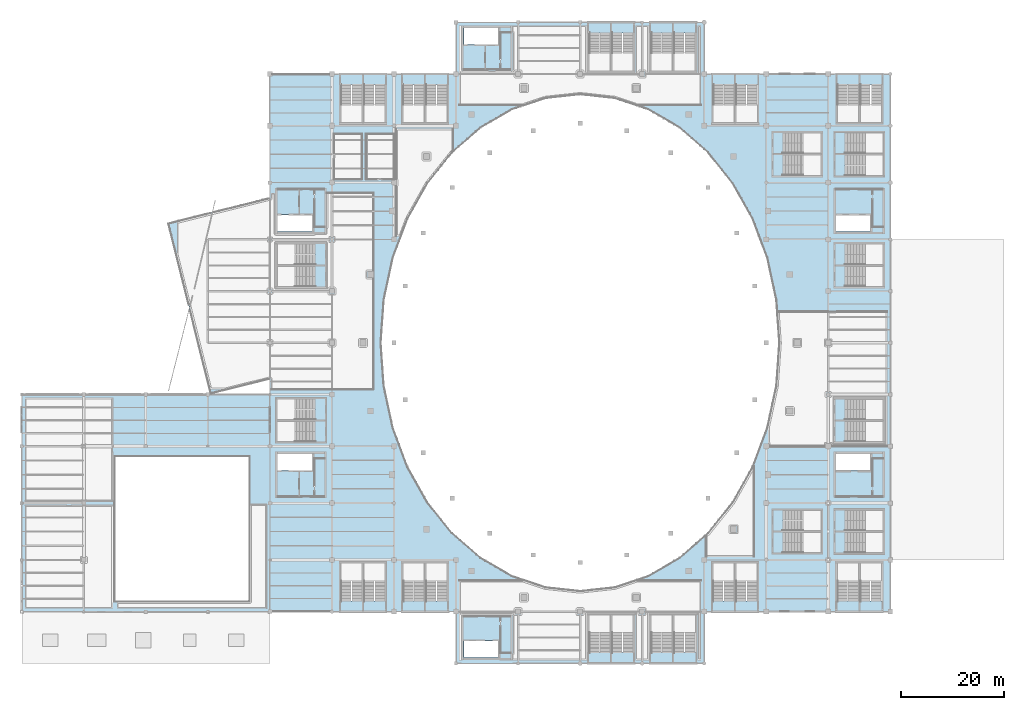
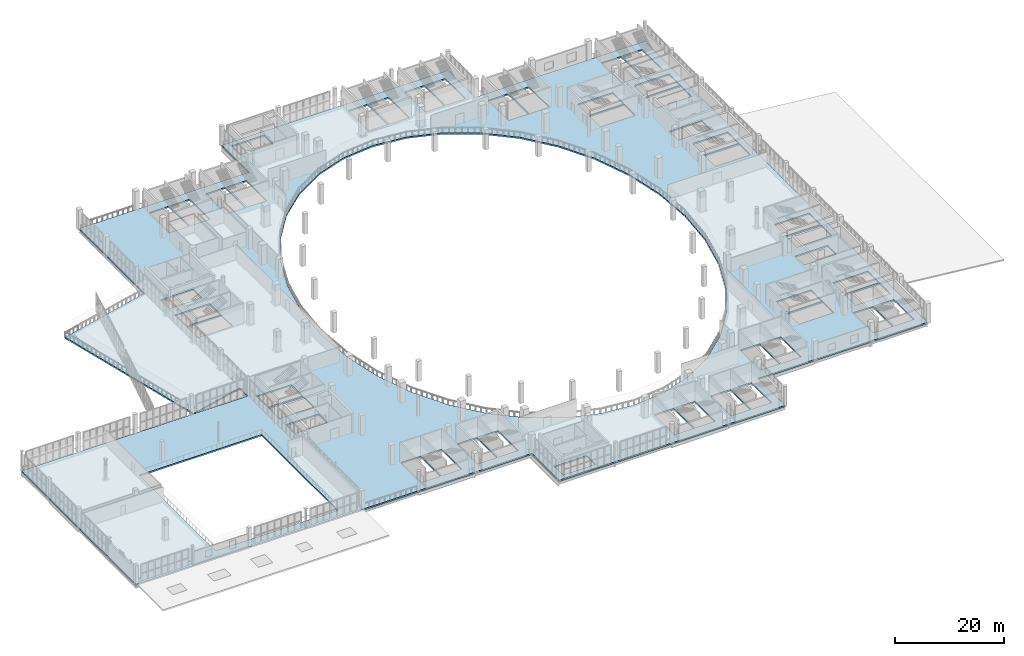
# One storey, part 70 of 108: 1 slab.
"""IFC4 building model written with IfcOpenShell, lengths in metres."""

from ifc_helpers import new_model, si_unit, direction, frame, origin, place, context, subcontext, project, spatial, polyline, outline, extrude, material, layer, layer_set, type_object, element, save


model = new_model("IFC4")

# Units and contexts
model_context = context("Model", 3, precision=1e-05, world=origin(), true_north=direction((0.0, 1.0)))
body_context = subcontext(model_context, "Body", "Model", "MODEL_VIEW")
ifc_project = project(units=[si_unit("LENGTHUNIT", "METRE"), si_unit("AREAUNIT", "SQUARE_METRE"), si_unit("VOLUMEUNIT", "CUBIC_METRE"), si_unit("PLANEANGLEUNIT", "RADIAN"), si_unit("MASSUNIT", "GRAM", prefix="KILO")], contexts=[model_context])

# Site, building, storey
site_placement = place(None, origin())
site = spatial("IfcSite", under=ifc_project, at=site_placement, CompositionType="ELEMENT")
building_placement = place(site_placement, origin())
building = spatial("IfcBuilding", under=site, at=building_placement, Name="Brinegate Civic Arena", CompositionType="ELEMENT")
storey_placement = place(building_placement, frame((0.0, 0.0, 10.199951171875)))
storey = spatial("IfcBuildingStorey", under=building, at=storey_placement, Name="L02", CompositionType="ELEMENT", Elevation=10.199951171875)

# Slab
ifc_material = material(Name="Concrete C40/50", Category="concrete")
ifc_layer = layer(ifc_material, 0.330078125, Name="Concrete C40/50")
ifc_layer_set = layer_set([ifc_layer], Name="Concrete C40/50")
slab_type = type_object("IfcSlabType", Name="SLAB-CONC-330", PredefinedType="FLOOR", material=ifc_layer_set)
slab_placement = place(storey_placement, frame((0.0, 0.0, -0.329833984375)))
element("IfcSlab", 1, at=slab_placement, inside=storey, type_object=slab_type, Name="Club Lounge and Exhibition Floor Slab", PredefinedType="FLOOR", context=body_context, shape_type="SweptSolid", body=[
    extrude(outline(polyline([(0.0, 10.0), (0.0, 52.0), (48.0, 52.0), (48.0, 54.97802734375), (36.529052734375, 52.117919921875), (28.302978515625, 85.10791015625), (48.0, 90.01904296875), (48.0, 114.0), (84.0, 114.0), (84.0, 124.0), (132.0, 124.0), (132.0, 114.0), (168.0, 114.0), (168.0, 10.0), (132.0, 10.0), (132.0, 0.0), (84.0, 0.0), (84.0, 10.0), (60.0, 10.0), (48.0, 10.0), (0.0, 10.0)]), holes=[polyline([(85.5, 1.10009765625), (92.39990234375, 1.10009765625), (92.39990234375, 4.300048828125), (85.5, 4.300048828125), (85.5, 1.10009765625)]), polyline([(61.695068359375, 19.455078125), (61.695068359375, 12.050048828125), (65.85498046875, 12.050048828125), (65.85498046875, 19.455078125), (61.695068359375, 19.455078125)]), polyline([(66.14501953125, 19.455078125), (66.14501953125, 12.050048828125), (70.304931640625, 12.050048828125), (70.304931640625, 19.455078125), (66.14501953125, 19.455078125)]), polyline([(73.695068359375, 12.050048828125), (77.85498046875, 12.050048828125), (77.85498046875, 19.455078125), (73.695068359375, 19.455078125), (73.695068359375, 12.050048828125)]), polyline([(78.14501953125, 19.455078125), (78.14501953125, 12.050048828125), (82.304931640625, 12.050048828125), (82.304931640625, 19.455078125), (78.14501953125, 19.455078125)]), polyline([(18.0, 40.0), (18.0, 12.0), (44.0, 12.0), (44.0, 40.0), (18.0, 40.0)]), polyline([(49.5, 37.300048828125), (56.39990234375, 37.300048828125), (56.39990234375, 40.5), (49.5, 40.5), (49.5, 37.300048828125)]), polyline([(49.344970703125, 46.85498046875), (49.344970703125, 42.844970703125), (56.75, 42.844970703125), (56.75, 46.85498046875), (49.344970703125, 46.85498046875)]), polyline([(49.344970703125, 51.155029296875), (49.344970703125, 47.14501953125), (56.75, 47.14501953125), (56.75, 51.155029296875), (49.344970703125, 51.155029296875)]), polyline([(49.344970703125, 72.844970703125), (56.75, 72.844970703125), (56.75, 76.85498046875), (49.344970703125, 76.85498046875), (49.344970703125, 72.844970703125)]), polyline([(49.344970703125, 81.155029296875), (49.344970703125, 77.14501953125), (56.75, 77.14501953125), (56.75, 81.155029296875), (49.344970703125, 81.155029296875)]), polyline([(49.5, 86.699951171875), (49.5, 83.5), (56.39990234375, 83.5), (56.39990234375, 86.699951171875), (49.5, 86.699951171875)]), polyline([(61.695068359375, 104.544921875), (65.85498046875, 104.544921875), (65.85498046875, 111.949951171875), (61.695068359375, 111.949951171875), (61.695068359375, 104.544921875)]), polyline([(66.14501953125, 111.949951171875), (66.14501953125, 104.544921875), (70.304931640625, 104.544921875), (70.304931640625, 111.949951171875), (66.14501953125, 111.949951171875)]), polyline([(73.695068359375, 111.949951171875), (73.695068359375, 104.544921875), (77.85498046875, 104.544921875), (77.85498046875, 111.949951171875), (73.695068359375, 111.949951171875)]), polyline([(78.14501953125, 104.544921875), (82.304931640625, 104.544921875), (82.304931640625, 111.949951171875), (78.14501953125, 111.949951171875), (78.14501953125, 104.544921875)]), polyline([(109.695068359375, 9.455078125), (109.695068359375, 2.050048828125), (113.85498046875, 2.050048828125), (113.85498046875, 9.455078125), (109.695068359375, 9.455078125)]), polyline([(114.14501953125, 9.455078125), (114.14501953125, 2.050048828125), (118.304931640625, 2.050048828125), (118.304931640625, 9.455078125), (114.14501953125, 9.455078125)]), polyline([(121.695068359375, 2.050048828125), (125.85498046875, 2.050048828125), (125.85498046875, 9.455078125), (121.695068359375, 9.455078125), (121.695068359375, 2.050048828125)]), polyline([(126.14501953125, 9.455078125), (126.14501953125, 2.050048828125), (130.304931640625, 2.050048828125), (130.304931640625, 9.455078125), (126.14501953125, 9.455078125)]), polyline([(133.695068359375, 19.455078125), (133.695068359375, 12.050048828125), (137.85498046875, 12.050048828125), (137.85498046875, 19.455078125), (133.695068359375, 19.455078125)]), polyline([(138.14501953125, 12.050048828125), (142.304931640625, 12.050048828125), (142.304931640625, 19.455078125), (138.14501953125, 19.455078125), (138.14501953125, 12.050048828125)]), polyline([(147.25, 25.35498046875), (147.25, 21.344970703125), (154.655029296875, 21.344970703125), (154.655029296875, 25.35498046875), (147.25, 25.35498046875)]), polyline([(147.25, 29.655029296875), (147.25, 25.64501953125), (154.655029296875, 25.64501953125), (154.655029296875, 29.655029296875), (147.25, 29.655029296875)]), polyline([(137.492919921875, 31.14599609375), (141.342041015625, 38.0), (144.177978515625, 45.5830078125), (145.9150390625, 53.6650390625), (146.5, 62.0), (145.9150390625, 70.3349609375), (144.177978515625, 78.4169921875), (141.342041015625, 86.0), (137.492919921875, 92.85400390625), (132.7470703125, 98.77001953125), (127.25, 103.569091796875), (121.16796875, 107.10498046875), (114.68505859375, 109.27099609375), (108.0, 110.0), (101.31494140625, 109.27099609375), (94.83203125, 107.10498046875), (88.75, 103.569091796875), (83.2529296875, 98.77001953125), (78.507080078125, 92.85400390625), (74.657958984375, 86.0), (71.822021484375, 78.4169921875), (70.0849609375, 70.3349609375), (69.5, 62.0), (70.0849609375, 53.6650390625), (71.822021484375, 45.5830078125), (74.657958984375, 38.0), (78.507080078125, 31.14599609375), (83.2529296875, 25.22998046875), (88.75, 20.430908203125), (94.83203125, 16.89501953125), (101.31494140625, 14.72900390625), (108.0, 14.0), (114.68505859375, 14.72900390625), (121.16796875, 16.89501953125), (127.25, 20.430908203125), (132.7470703125, 25.22998046875), (137.492919921875, 31.14599609375)]), polyline([(133.695068359375, 111.949951171875), (133.695068359375, 104.544921875), (137.85498046875, 104.544921875), (137.85498046875, 111.949951171875), (133.695068359375, 111.949951171875)]), polyline([(138.14501953125, 111.949951171875), (138.14501953125, 104.544921875), (142.304931640625, 104.544921875), (142.304931640625, 111.949951171875), (138.14501953125, 111.949951171875)]), polyline([(109.695068359375, 114.544921875), (113.85498046875, 114.544921875), (113.85498046875, 121.949951171875), (109.695068359375, 121.949951171875), (109.695068359375, 114.544921875)]), polyline([(114.14501953125, 121.949951171875), (114.14501953125, 114.544921875), (118.304931640625, 114.544921875), (118.304931640625, 121.949951171875), (114.14501953125, 121.949951171875)]), polyline([(121.695068359375, 121.949951171875), (121.695068359375, 114.544921875), (125.85498046875, 114.544921875), (125.85498046875, 121.949951171875), (121.695068359375, 121.949951171875)]), polyline([(126.14501953125, 114.544921875), (130.304931640625, 114.544921875), (130.304931640625, 121.949951171875), (126.14501953125, 121.949951171875), (126.14501953125, 114.544921875)]), polyline([(85.5, 122.89990234375), (85.5, 119.699951171875), (92.39990234375, 119.699951171875), (92.39990234375, 122.89990234375), (85.5, 122.89990234375)]), polyline([(157.695068359375, 19.455078125), (157.695068359375, 12.050048828125), (161.85498046875, 12.050048828125), (161.85498046875, 19.455078125), (157.695068359375, 19.455078125)]), polyline([(162.14501953125, 12.050048828125), (166.304931640625, 12.050048828125), (166.304931640625, 19.455078125), (162.14501953125, 19.455078125), (162.14501953125, 12.050048828125)]), polyline([(159.25, 25.35498046875), (159.25, 21.344970703125), (166.655029296875, 21.344970703125), (166.655029296875, 25.35498046875), (159.25, 25.35498046875)]), polyline([(159.25, 29.655029296875), (159.25, 25.64501953125), (166.655029296875, 25.64501953125), (166.655029296875, 29.655029296875), (159.25, 29.655029296875)]), polyline([(157.5, 37.300048828125), (164.39990234375, 37.300048828125), (164.39990234375, 40.5), (157.5, 40.5), (157.5, 37.300048828125)]), polyline([(159.25, 46.85498046875), (159.25, 42.844970703125), (166.655029296875, 42.844970703125), (166.655029296875, 46.85498046875), (159.25, 46.85498046875)]), polyline([(159.25, 51.155029296875), (159.25, 47.14501953125), (166.655029296875, 47.14501953125), (166.655029296875, 51.155029296875), (159.25, 51.155029296875)]), polyline([(159.25, 72.844970703125), (166.655029296875, 72.844970703125), (166.655029296875, 76.85498046875), (159.25, 76.85498046875), (159.25, 72.844970703125)]), polyline([(159.25, 81.155029296875), (159.25, 77.14501953125), (166.655029296875, 77.14501953125), (166.655029296875, 81.155029296875), (159.25, 81.155029296875)]), polyline([(157.5, 86.699951171875), (157.5, 83.5), (164.39990234375, 83.5), (164.39990234375, 86.699951171875), (157.5, 86.699951171875)]), polyline([(147.25, 94.344970703125), (154.655029296875, 94.344970703125), (154.655029296875, 98.35498046875), (147.25, 98.35498046875), (147.25, 94.344970703125)]), polyline([(159.25, 98.35498046875), (159.25, 94.344970703125), (166.655029296875, 94.344970703125), (166.655029296875, 98.35498046875), (159.25, 98.35498046875)]), polyline([(147.25, 102.655029296875), (147.25, 98.64501953125), (154.655029296875, 98.64501953125), (154.655029296875, 102.655029296875), (147.25, 102.655029296875)]), polyline([(159.25, 98.64501953125), (166.655029296875, 98.64501953125), (166.655029296875, 102.655029296875), (159.25, 102.655029296875), (159.25, 98.64501953125)]), polyline([(157.695068359375, 111.949951171875), (157.695068359375, 104.544921875), (161.85498046875, 104.544921875), (161.85498046875, 111.949951171875), (157.695068359375, 111.949951171875)]), polyline([(162.14501953125, 111.949951171875), (162.14501953125, 104.544921875), (166.304931640625, 104.544921875), (166.304931640625, 111.949951171875), (162.14501953125, 111.949951171875)])]), origin(), (0.0, 0.0, 1.0), 0.329833984375),
])

save(model, "model.ifc")
